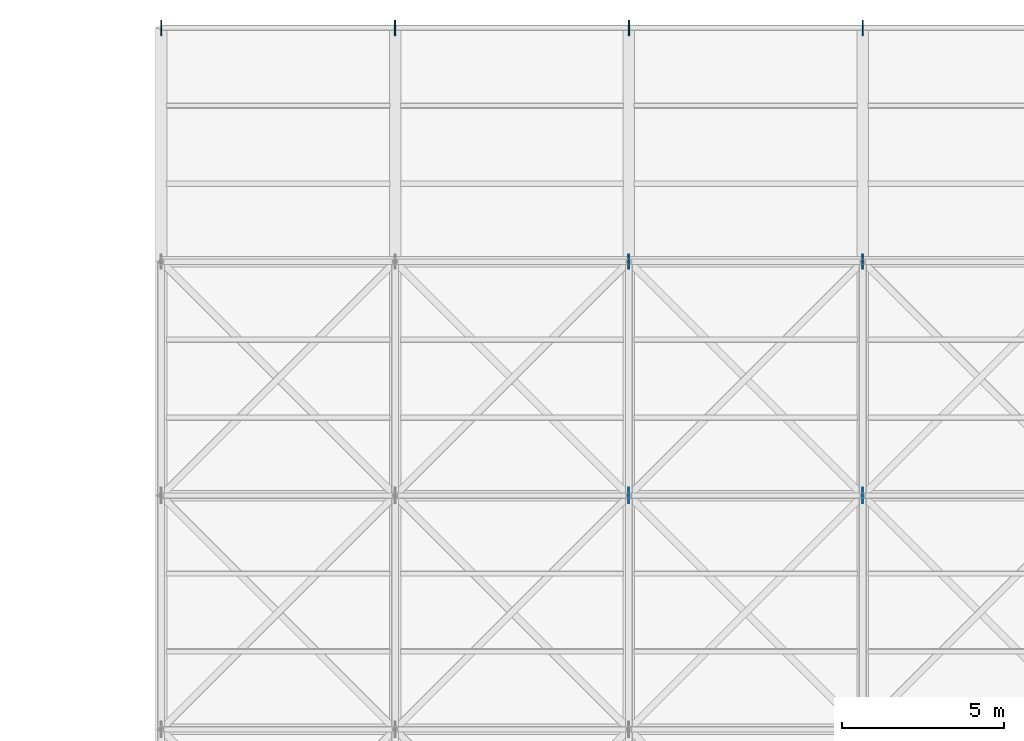
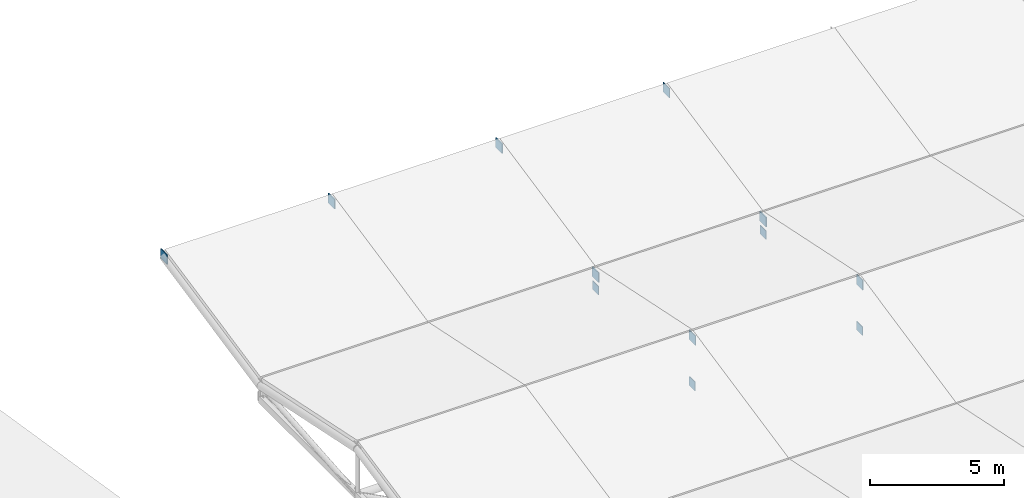
# One storey, part 67 of 72: 12 plates.
"""IFC4 building model written with IfcOpenShell, lengths in metres."""

from ifc_helpers import new_model, si_unit, direction, frame, origin, origin_2d, place, context, subcontext, project, spatial, rectangle, extrude, material, layer, layer_set, type_object, element, save


model = new_model("IFC4")

# Units and contexts
model_context = context("Model", 3, precision=1e-05, world=origin(), true_north=direction((0.0, 1.0)))
body_context = subcontext(model_context, "Body", "Model", "MODEL_VIEW")
ifc_project = project(units=[si_unit("LENGTHUNIT", "METRE"), si_unit("AREAUNIT", "SQUARE_METRE"), si_unit("VOLUMEUNIT", "CUBIC_METRE"), si_unit("PLANEANGLEUNIT", "RADIAN"), si_unit("MASSUNIT", "GRAM", prefix="KILO")], contexts=[model_context])

# Site, building, storey
site_placement = place(None, origin())
site = spatial("IfcSite", under=ifc_project, at=site_placement, CompositionType="ELEMENT")
building_placement = place(site_placement, origin())
building = spatial("IfcBuilding", under=site, at=building_placement, Name="Vaelcorin Mobility Hub", CompositionType="ELEMENT")
storey_placement = place(building_placement, frame((0.0, 0.0, 25.800048828125)))
storey = spatial("IfcBuildingStorey", under=building, at=storey_placement, Name="RF", CompositionType="ELEMENT", Elevation=25.800048828125)

# Plates
ifc_material = material(Name="Steel ASTM A572 Grade 50", Category="steel")
ifc_layer_1 = layer(ifc_material, 0.0380859375)
ifc_layer_set_1 = layer_set([ifc_layer_1], Name="Steel ASTM A572 Grade 50")
plate_type_1 = type_object("IfcPlateType", Name="PL-TN1", PredefinedType="USERDEFINED", material=ifc_layer_set_1)
for number, where, z_axis, x_axis, name in (
    (1, (43.199951171875, 120.0, -0.219970703125), (0.0, 0.0, 1.0), (1.0, 0.0, 0.0), "Sports Roof Truss Node TN1 1-5"),
    (2, (50.39990234375, 120.0, -0.219970703125), (0.0, 0.0, 1.0), (1.0, 0.0, 0.0), "Sports Roof Truss Node TN1 2-5"),
    (3, (57.60009765625, 112.800048828125, -1.719970703125), (0.0, 0.0, 1.0), (1.0, 0.0, 0.0), "Sports Roof Truss Node TN1 3-4"),
    (4, (57.60009765625, 120.0, -0.219970703125), (0.0, 0.0, 1.0), (1.0, 0.0, 0.0), "Sports Roof Truss Node TN1 3-5"),
    (5, (64.800048828125, 112.800048828125, -1.719970703125), (0.0, 0.0, 1.0), (1.0, 0.0, 0.0), "Sports Roof Truss Node TN1 4-4"),
    (6, (64.800048828125, 120.0, -0.219970703125), (0.0, 0.0, 1.0), (1.0, 0.0, 0.0), "Sports Roof Truss Node TN1 4-5"),
):
    element("IfcPlate", number, at=place(storey_placement, frame(where, z_axis=z_axis, x_axis=x_axis)), inside=storey, type_object=plate_type_1, Name=name, ObjectType="GUSSET PLATE", PredefinedType="USERDEFINED", context=body_context, shape_type="SweptSolid", body=[
        extrude(rectangle(XDim=0.0380859375, YDim=0.47998046875, at=origin_2d()), origin(), (0.0, 0.0, 1.0), 0.43994140625),
    ])
ifc_layer_2 = layer(ifc_material, 0.030029296875)
ifc_layer_set_2 = layer_set([ifc_layer_2], Name="Steel ASTM A572 Grade 50")
plate_type_2 = type_object("IfcPlateType", Name="PL-TN2", PredefinedType="USERDEFINED", material=ifc_layer_set_2)
plate_1_placement = place(storey_placement, frame((57.60009765625, 105.60009765625, -0.219970703125), z_axis=(0.0, 0.0, 1.0), x_axis=(1.0, 0.0, 0.0)))
element("IfcPlate", 7, at=plate_1_placement, inside=storey, type_object=plate_type_2, Name="Sports Roof Truss Node TN2 3-3", ObjectType="GUSSET PLATE", PredefinedType="USERDEFINED", context=body_context, shape_type="SweptSolid", body=[
    extrude(rectangle(XDim=0.030029296875, YDim=0.47998046875, at=origin_2d()), origin(), (0.0, 0.0, 1.0), 0.43994140625),
])
for number, where, z_axis, x_axis, name in (
    (8, (57.60009765625, 105.60009765625, -2.300048828125), (0.0, 0.0, 1.0), (1.0, 0.0, 0.0), "Sports Roof Truss Bottom Node 3-3"),
    (9, (57.60009765625, 112.800048828125, -2.300048828125), (0.0, 0.0, 1.0), (1.0, 0.0, 0.0), "Sports Roof Truss Bottom Node 3-4"),
):
    element("IfcPlate", number, at=place(storey_placement, frame(where, z_axis=z_axis, x_axis=x_axis)), inside=storey, type_object=plate_type_2, Name=name, ObjectType="GUSSET PLATE", PredefinedType="USERDEFINED", context=body_context, shape_type="SweptSolid", body=[
        extrude(rectangle(XDim=0.030029296875, YDim=0.43994140625, at=origin_2d()), origin(), (0.0, 0.0, 1.0), 0.39990234375),
    ])
plate_2_placement = place(storey_placement, frame((64.800048828125, 105.60009765625, -0.219970703125), z_axis=(0.0, 0.0, 1.0), x_axis=(1.0, 0.0, 0.0)))
element("IfcPlate", 10, at=plate_2_placement, inside=storey, type_object=plate_type_2, Name="Sports Roof Truss Node TN2 4-3", ObjectType="GUSSET PLATE", PredefinedType="USERDEFINED", context=body_context, shape_type="SweptSolid", body=[
    extrude(rectangle(XDim=0.030029296875, YDim=0.47998046875, at=origin_2d()), origin(), (0.0, 0.0, 1.0), 0.43994140625),
])
for number, where, z_axis, x_axis, name in (
    (11, (64.800048828125, 105.60009765625, -2.300048828125), (0.0, 0.0, 1.0), (1.0, 0.0, 0.0), "Sports Roof Truss Bottom Node 4-3"),
    (12, (64.800048828125, 112.800048828125, -2.300048828125), (0.0, 0.0, 1.0), (1.0, 0.0, 0.0), "Sports Roof Truss Bottom Node 4-4"),
):
    element("IfcPlate", number, at=place(storey_placement, frame(where, z_axis=z_axis, x_axis=x_axis)), inside=storey, type_object=plate_type_2, Name=name, ObjectType="GUSSET PLATE", PredefinedType="USERDEFINED", context=body_context, shape_type="SweptSolid", body=[
        extrude(rectangle(XDim=0.030029296875, YDim=0.43994140625, at=origin_2d()), origin(), (0.0, 0.0, 1.0), 0.39990234375),
    ])

save(model, "model.ifc")
